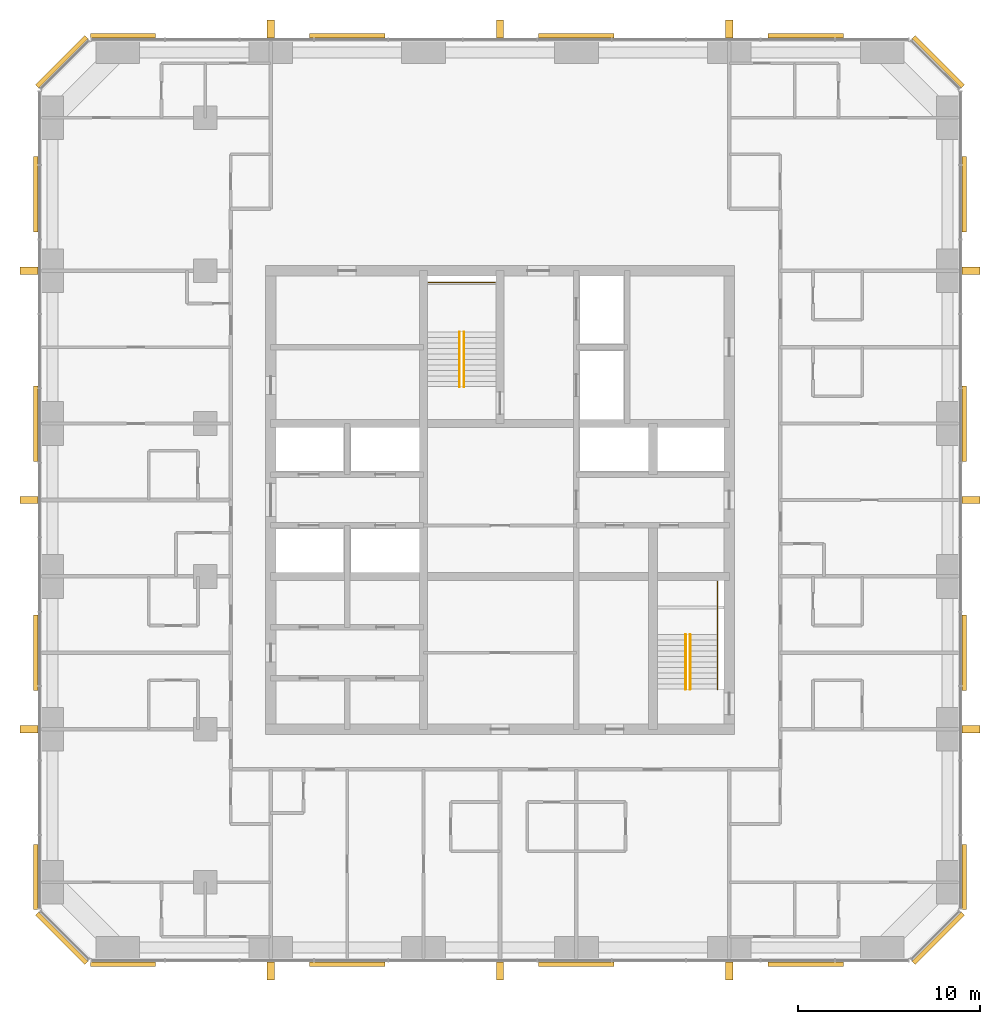
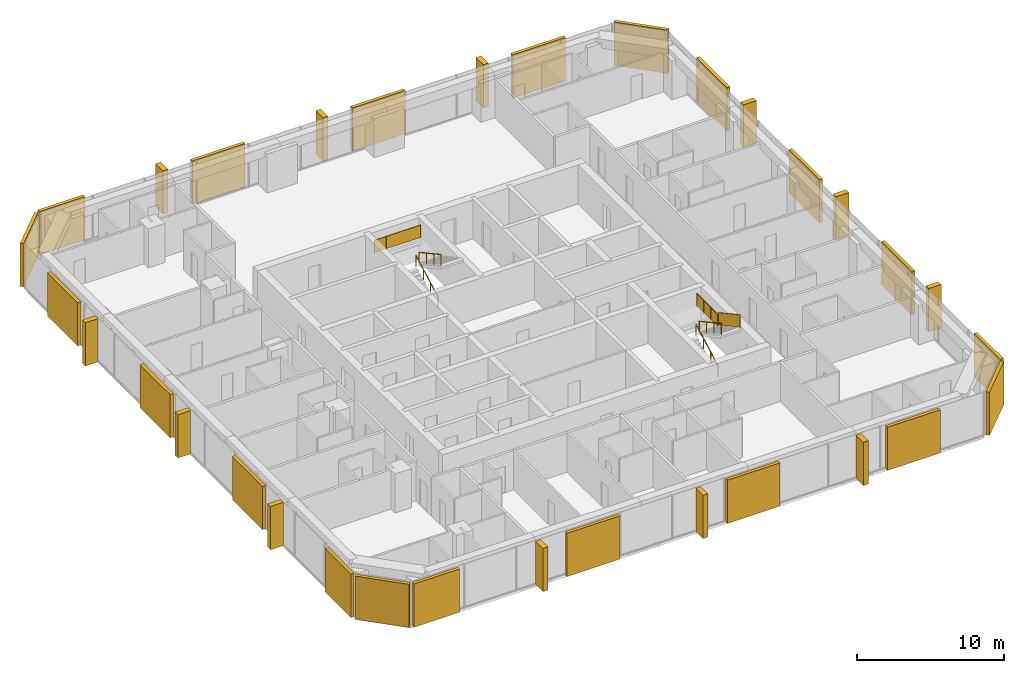
# One storey, part 13 of 13: 20 coverings, 12 shading devices, 7 railings.
"""IFC4 building model written with IfcOpenShell, lengths in metres."""

from ifc_helpers import new_model, si_unit, direction, frame, origin, origin_2d, place, context, subcontext, project, spatial, polyline, rectangle, circle, outline, extrude, material, layer, layer_set, type_object, element, save


model = new_model("IFC4")

# Units and contexts
model_context = context("Model", 3, precision=1e-05, world=origin(), true_north=direction((0.0, 1.0)))
body_context = subcontext(model_context, "Body", "Model", "MODEL_VIEW")
ifc_project = project(units=[si_unit("LENGTHUNIT", "METRE"), si_unit("AREAUNIT", "SQUARE_METRE"), si_unit("VOLUMEUNIT", "CUBIC_METRE"), si_unit("PLANEANGLEUNIT", "RADIAN"), si_unit("MASSUNIT", "GRAM", prefix="KILO")], contexts=[model_context])

# Site, building, storey
site_placement = place(None, origin())
site = spatial("IfcSite", under=ifc_project, at=site_placement, CompositionType="ELEMENT")
building_placement = place(site_placement, origin())
building = spatial("IfcBuilding", under=site, at=building_placement, Name="Dunama Terrace Hotel", CompositionType="ELEMENT")
storey_placement = place(building_placement, frame((0.0, 0.0, 209.39990234375)))
storey = spatial("IfcBuildingStorey", under=building, at=storey_placement, Name="L54", CompositionType="ELEMENT", Elevation=209.39990234375)

# Railings
ifc_material_1 = material(Name="Stainless steel and laminated glass guard", Category="steel")
railing_type_1 = type_object("IfcRailingType", Name="Guard 1100", PredefinedType="GUARDRAIL", material=ifc_material_1)
railing_1_placement = place(storey_placement, frame((25.47509765625, 41.35009765625, 1.800048828125)))
element("IfcRailing", 1, at=railing_1_placement, inside=storey, type_object=railing_type_1, Name="Stair landing guard ST1 L54", PredefinedType="GUARDRAIL", context=body_context, shape_type="SweptSolid", body=[
    extrude(circle(Radius=0.02392578125, at=origin_2d()), frame((0.0, 0.0, 1.076171875), z_axis=(1.0, 0.0, 0.0), x_axis=(0.0, 1.0, 0.0)), (0.0, 0.0, 1.0), 3.64990234375),
    extrude(circle(Radius=0.02099609375, at=origin_2d()), origin(), (0.0, 0.0, 1.0), 1.052001953125),
    extrude(circle(Radius=0.02099609375, at=origin_2d()), frame((0.91259765625, 0.0, 0.0)), (0.0, 0.0, 1.0), 1.052001953125),
    extrude(circle(Radius=0.02099609375, at=origin_2d()), frame((1.824951171875, 0.0, 0.0)), (0.0, 0.0, 1.0), 1.052001953125),
    extrude(circle(Radius=0.02099609375, at=origin_2d()), frame((2.7373046875, 0.0, 0.0)), (0.0, 0.0, 1.0), 1.052001953125),
    extrude(circle(Radius=0.02099609375, at=origin_2d()), frame((3.64990234375, 0.0, 0.0)), (0.0, 0.0, 1.0), 1.052001953125),
    extrude(outline(polyline([(0.0048828125, 0.050048828125), (0.90771484375, 0.050048828125), (0.90771484375, 1.076171875), (0.0048828125, 1.076171875), (0.0048828125, 0.050048828125)])), frame((0.0, 0.0087890625, 0.0), z_axis=(0.0, -1.0, 0.0), x_axis=(1.0, 0.0, 0.0)), (0.0, 0.0, 1.0), 0.017578125),
    extrude(outline(polyline([(0.0048828125, 0.050048828125), (0.90771484375, 0.050048828125), (0.90771484375, 1.076171875), (0.0048828125, 1.076171875), (0.0048828125, 0.050048828125)])), frame((0.91259765625, 0.0087890625, 0.0), z_axis=(0.0, -1.0, 0.0), x_axis=(1.0, 0.0, 0.0)), (0.0, 0.0, 1.0), 0.017578125),
    extrude(outline(polyline([(0.0048828125, 0.050048828125), (0.90771484375, 0.050048828125), (0.90771484375, 1.076171875), (0.0048828125, 1.076171875), (0.0048828125, 0.050048828125)])), frame((1.824951171875, 0.0087890625, 0.0), z_axis=(0.0, -1.0, 0.0), x_axis=(1.0, 0.0, 0.0)), (0.0, 0.0, 1.0), 0.017578125),
    extrude(outline(polyline([(0.0048828125, 0.050048828125), (0.90771484375, 0.050048828125), (0.90771484375, 1.076171875), (0.0048828125, 1.076171875), (0.0048828125, 0.050048828125)])), frame((2.7373046875, 0.0087890625, 0.0), z_axis=(0.0, -1.0, 0.0), x_axis=(1.0, 0.0, 0.0)), (0.0, 0.0, 1.0), 0.017578125),
])
railing_2_placement = place(storey_placement, frame((41.35009765625, 22.0, 1.963623046875)))
element("IfcRailing", 2, at=railing_2_placement, inside=storey, type_object=railing_type_1, Name="Stair guard ST2 L54", PredefinedType="GUARDRAIL", context=body_context, shape_type="SweptSolid", body=[
    extrude(circle(Radius=0.02392578125, at=origin_2d()), frame((0.0, 0.0, 1.076171875), z_axis=(0.0, -0.877881921179, 0.478877158013), x_axis=(1.0, 0.0, 0.0)), (0.0, 0.0, 1.0), 3.417236328125),
    extrude(circle(Radius=0.02099609375, at=origin_2d()), origin(), (0.0, 0.0, 1.0), 1.052001953125),
    extrude(circle(Radius=0.02099609375, at=origin_2d()), frame((0.0, -1.0, 0.54541015625)), (0.0, 0.0, 1.0), 1.052001953125),
    extrude(circle(Radius=0.02099609375, at=origin_2d()), frame((0.0, -2.0, 1.091064453125)), (0.0, 0.0, 1.0), 1.052001953125),
    extrude(circle(Radius=0.02099609375, at=origin_2d()), frame((0.0, -3.0, 1.636474609375)), (0.0, 0.0, 1.0), 1.052001953125),
    extrude(outline(polyline([(0.0048828125, 0.052734375), (0.9951171875, 0.5927734375), (0.9951171875, 1.618896484375), (0.0048828125, 1.07861328125), (0.0048828125, 0.052734375)])), frame((0.0087890625, 0.0, 0.0), z_axis=(-1.0, 0.0, 0.0), x_axis=(0.0, -1.0, 0.0)), (0.0, 0.0, 1.0), 0.017578125),
    extrude(outline(polyline([(0.0048828125, 0.052734375), (0.9951171875, 0.5927734375), (0.9951171875, 1.618896484375), (0.0048828125, 1.07861328125), (0.0048828125, 0.052734375)])), frame((0.0087890625, -1.0, 0.54541015625), z_axis=(-1.0, 0.0, 0.0), x_axis=(0.0, -1.0, 0.0)), (0.0, 0.0, 1.0), 0.017578125),
    extrude(outline(polyline([(0.0048828125, 0.052734375), (0.9951171875, 0.5927734375), (0.9951171875, 1.618896484375), (0.0048828125, 1.07861328125), (0.0048828125, 0.052734375)])), frame((0.0087890625, -2.0, 1.091064453125), z_axis=(-1.0, 0.0, 0.0), x_axis=(0.0, -1.0, 0.0)), (0.0, 0.0, 1.0), 0.017578125),
])
railing_3_placement = place(storey_placement, frame((41.35009765625, 22.050048828125, 1.800048828125)))
element("IfcRailing", 3, at=railing_3_placement, inside=storey, type_object=railing_type_1, Name="Stair landing guard ST2 L54", PredefinedType="GUARDRAIL", context=body_context, shape_type="SweptSolid", body=[
    extrude(circle(Radius=0.02392578125, at=origin_2d()), frame((0.0, 0.0, 1.076171875), z_axis=(0.0, 1.0, 0.0), x_axis=(-1.0, 0.0, 0.0)), (0.0, 0.0, 1.0), 2.875),
    extrude(circle(Radius=0.02099609375, at=origin_2d()), origin(), (0.0, 0.0, 1.0), 1.052001953125),
    extrude(circle(Radius=0.02099609375, at=origin_2d()), frame((0.0, 0.958251953125, 0.0)), (0.0, 0.0, 1.0), 1.052001953125),
    extrude(circle(Radius=0.02099609375, at=origin_2d()), frame((0.0, 1.916748046875, 0.0)), (0.0, 0.0, 1.0), 1.052001953125),
    extrude(circle(Radius=0.02099609375, at=origin_2d()), frame((0.0, 2.875, 0.0)), (0.0, 0.0, 1.0), 1.052001953125),
    extrude(outline(polyline([(0.0048828125, 0.050048828125), (0.953369140625, 0.050048828125), (0.953369140625, 1.076171875), (0.0048828125, 1.076171875), (0.0048828125, 0.050048828125)])), frame((-0.0087890625, 0.0, 0.0), z_axis=(1.0, 0.0, 0.0), x_axis=(0.0, 1.0, 0.0)), (0.0, 0.0, 1.0), 0.017578125),
    extrude(outline(polyline([(0.0048828125, 0.050048828125), (0.953369140625, 0.050048828125), (0.953369140625, 1.076171875), (0.0048828125, 1.076171875), (0.0048828125, 0.050048828125)])), frame((-0.0087890625, 0.958251953125, 0.0), z_axis=(1.0, 0.0, 0.0), x_axis=(0.0, 1.0, 0.0)), (0.0, 0.0, 1.0), 0.017578125),
    extrude(outline(polyline([(0.0048828125, 0.050048828125), (0.953369140625, 0.050048828125), (0.953369140625, 1.076171875), (0.0048828125, 1.076171875), (0.0048828125, 0.050048828125)])), frame((-0.0087890625, 1.916748046875, 0.0), z_axis=(1.0, 0.0, 0.0), x_axis=(0.0, 1.0, 0.0)), (0.0, 0.0, 1.0), 0.017578125),
])
ifc_material_2 = material(Name="Stainless steel handrail", Category="steel")
railing_type_2 = type_object("IfcRailingType", Name="Stair handrail 900", PredefinedType="HANDRAIL", material=ifc_material_2)
railing_4_placement = place(storey_placement, frame((27.175048828125, 35.625, 0.163818359375)))
element("IfcRailing", 4, at=railing_4_placement, inside=storey, type_object=railing_type_2, Name="Handrail ST1 L54", PredefinedType="HANDRAIL", context=body_context, shape_type="SweptSolid", body=[
    extrude(circle(Radius=0.02392578125, at=origin_2d()), frame((0.0, 0.0, 0.8759765625), z_axis=(0.0, 0.877911954615, 0.47882209634), x_axis=(-1.0, 0.0, 0.0)), (0.0, 0.0, 1.0), 3.417236328125),
    extrude(circle(Radius=0.02099609375, at=origin_2d()), origin(), (0.0, 0.0, 1.0), 0.851806640625),
    extrude(circle(Radius=0.02099609375, at=origin_2d()), frame((0.0, 1.0, 0.54541015625)), (0.0, 0.0, 1.0), 0.851806640625),
    extrude(circle(Radius=0.02099609375, at=origin_2d()), frame((0.0, 2.0, 1.0908203125)), (0.0, 0.0, 1.0), 0.851806640625),
    extrude(circle(Radius=0.02099609375, at=origin_2d()), frame((0.0, 3.0, 1.63623046875)), (0.0, 0.0, 1.0), 0.851806640625),
])
railing_5_placement = place(storey_placement, frame((27.425048828125, 38.625, 1.963623046875)))
element("IfcRailing", 5, at=railing_5_placement, inside=storey, type_object=railing_type_2, Name="Handrail ST1 L54", PredefinedType="HANDRAIL", context=body_context, shape_type="SweptSolid", body=[
    extrude(circle(Radius=0.02392578125, at=origin_2d()), frame((0.0, 0.0, 0.8759765625), z_axis=(0.0, -0.877881921179, 0.478877158013), x_axis=(1.0, 0.0, 0.0)), (0.0, 0.0, 1.0), 3.417236328125),
    extrude(circle(Radius=0.02099609375, at=origin_2d()), origin(), (0.0, 0.0, 1.0), 0.851806640625),
    extrude(circle(Radius=0.02099609375, at=origin_2d()), frame((0.0, -1.0, 0.54541015625)), (0.0, 0.0, 1.0), 0.851806640625),
    extrude(circle(Radius=0.02099609375, at=origin_2d()), frame((0.0, -2.0, 1.091064453125)), (0.0, 0.0, 1.0), 0.851806640625),
    extrude(circle(Radius=0.02099609375, at=origin_2d()), frame((0.0, -3.0, 1.636474609375)), (0.0, 0.0, 1.0), 0.851806640625),
])
railing_6_placement = place(storey_placement, frame((39.60009765625, 19.0, 0.163818359375)))
element("IfcRailing", 6, at=railing_6_placement, inside=storey, type_object=railing_type_2, Name="Handrail ST2 L54", PredefinedType="HANDRAIL", context=body_context, shape_type="SweptSolid", body=[
    extrude(circle(Radius=0.02392578125, at=origin_2d()), frame((0.0, 0.0, 0.8759765625), z_axis=(0.0, 0.877911954615, 0.47882209634), x_axis=(-1.0, 0.0, 0.0)), (0.0, 0.0, 1.0), 3.417236328125),
    extrude(circle(Radius=0.02099609375, at=origin_2d()), origin(), (0.0, 0.0, 1.0), 0.851806640625),
    extrude(circle(Radius=0.02099609375, at=origin_2d()), frame((0.0, 1.0, 0.54541015625)), (0.0, 0.0, 1.0), 0.851806640625),
    extrude(circle(Radius=0.02099609375, at=origin_2d()), frame((0.0, 2.0, 1.0908203125)), (0.0, 0.0, 1.0), 0.851806640625),
    extrude(circle(Radius=0.02099609375, at=origin_2d()), frame((0.0, 3.0, 1.63623046875)), (0.0, 0.0, 1.0), 0.851806640625),
])
railing_7_placement = place(storey_placement, frame((39.85009765625, 22.0, 1.963623046875)))
element("IfcRailing", 7, at=railing_7_placement, inside=storey, type_object=railing_type_2, Name="Handrail ST2 L54", PredefinedType="HANDRAIL", context=body_context, shape_type="SweptSolid", body=[
    extrude(circle(Radius=0.02392578125, at=origin_2d()), frame((0.0, 0.0, 0.8759765625), z_axis=(0.0, -0.877881921179, 0.478877158013), x_axis=(1.0, 0.0, 0.0)), (0.0, 0.0, 1.0), 3.417236328125),
    extrude(circle(Radius=0.02099609375, at=origin_2d()), origin(), (0.0, 0.0, 1.0), 0.851806640625),
    extrude(circle(Radius=0.02099609375, at=origin_2d()), frame((0.0, -1.0, 0.54541015625)), (0.0, 0.0, 1.0), 0.851806640625),
    extrude(circle(Radius=0.02099609375, at=origin_2d()), frame((0.0, -2.0, 1.091064453125)), (0.0, 0.0, 1.0), 0.851806640625),
    extrude(circle(Radius=0.02099609375, at=origin_2d()), frame((0.0, -3.0, 1.636474609375)), (0.0, 0.0, 1.0), 0.851806640625),
])

# Coverings
ifc_material_3 = material(Name="Warm reconstituted stone panel", Category="masonry")
ifc_layer_1 = layer(ifc_material_3, 0.25)
ifc_layer_set_1 = layer_set([ifc_layer_1], Name="Stone diagonal panel")
covering_type = type_object("IfcCoveringType", Name="Stone diagonal panel", PredefinedType="CLADDING", material=ifc_layer_set_1)
covering_1_placement = place(storey_placement, frame((8.68994140625, 3.876953125, 0.001953125), z_axis=(0.0, 0.0, 1.0), x_axis=(1.0, 0.0, 0.0)))
element("IfcCovering", 8, at=covering_1_placement, inside=storey, type_object=covering_type, Name="Stone diagonal panel L54", PredefinedType="CLADDING", context=body_context, shape_type="SweptSolid", body=[
    extrude(rectangle(XDim=3.570068359375, YDim=0.25, at=origin_2d()), origin(), (0.0, 0.0, 1.0), 3.595947265625),
])
for number, where, z_axis, x_axis, name in (
    (9, (21.0, 3.876953125, 0.001953125), (0.0, 0.0, 1.0), (1.0, 0.0, 0.0), "Stone diagonal panel L54"),
    (10, (33.60009765625, 3.876953125, 0.001953125), (0.0, 0.0, 1.0), (1.0, 0.0, 0.0), "Stone diagonal panel L54"),
    (11, (46.199951171875, 3.876953125, 0.001953125), (0.0, 0.0, 1.0), (1.0, 0.0, 0.0), "Stone diagonal panel L54"),
):
    element("IfcCovering", number, at=place(storey_placement, frame(where, z_axis=z_axis, x_axis=x_axis)), inside=storey, type_object=covering_type, Name=name, PredefinedType="CLADDING", context=body_context, shape_type="SweptSolid", body=[
        extrude(rectangle(XDim=4.14990234375, YDim=0.25, at=origin_2d()), origin(), (0.0, 0.0, 1.0), 3.595947265625),
    ])
covering_2_placement = place(storey_placement, frame((53.47900390625, 5.321044921875, 0.001953125), z_axis=(0.0, 0.0, 1.0), x_axis=(0.707106781187, 0.707106781187, 0.0)))
element("IfcCovering", 12, at=covering_2_placement, inside=storey, type_object=covering_type, Name="Stone diagonal panel L54", PredefinedType="CLADDING", context=body_context, shape_type="SweptSolid", body=[
    extrude(rectangle(XDim=3.808349609375, YDim=0.25, at=origin_2d()), origin(), (0.0, 0.0, 1.0), 3.595947265625),
])
covering_3_placement = place(storey_placement, frame((54.923095703125, 8.68994140625, 0.001953125), z_axis=(0.0, 0.0, 1.0), x_axis=(0.0, 1.0, 0.0)))
element("IfcCovering", 13, at=covering_3_placement, inside=storey, type_object=covering_type, Name="Stone diagonal panel L54", PredefinedType="CLADDING", context=body_context, shape_type="SweptSolid", body=[
    extrude(rectangle(XDim=3.570068359375, YDim=0.25, at=origin_2d()), origin(), (0.0, 0.0, 1.0), 3.595947265625),
])
for number, where, z_axis, x_axis, name in (
    (14, (54.923095703125, 21.0, 0.001953125), (0.0, 0.0, 1.0), (0.0, 1.0, 0.0), "Stone diagonal panel L54"),
    (15, (54.923095703125, 33.60009765625, 0.001953125), (0.0, 0.0, 1.0), (0.0, 1.0, 0.0), "Stone diagonal panel L54"),
    (16, (54.923095703125, 46.199951171875, 0.001953125), (0.0, 0.0, 1.0), (0.0, 1.0, 0.0), "Stone diagonal panel L54"),
):
    element("IfcCovering", number, at=place(storey_placement, frame(where, z_axis=z_axis, x_axis=x_axis)), inside=storey, type_object=covering_type, Name=name, PredefinedType="CLADDING", context=body_context, shape_type="SweptSolid", body=[
        extrude(rectangle(XDim=4.14990234375, YDim=0.25, at=origin_2d()), origin(), (0.0, 0.0, 1.0), 3.595947265625),
    ])
covering_4_placement = place(storey_placement, frame((53.47900390625, 53.47900390625, 0.001953125), z_axis=(0.0, 0.0, 1.0), x_axis=(-0.707106781187, 0.707106781187, 0.0)))
element("IfcCovering", 17, at=covering_4_placement, inside=storey, type_object=covering_type, Name="Stone diagonal panel L54", PredefinedType="CLADDING", context=body_context, shape_type="SweptSolid", body=[
    extrude(rectangle(XDim=3.808349609375, YDim=0.25, at=origin_2d()), origin(), (0.0, 0.0, 1.0), 3.595947265625),
])
for number, where, z_axis, x_axis, name in (
    (18, (46.199951171875, 54.923095703125, 0.001953125), (0.0, 0.0, 1.0), (-1.0, 0.0, 0.0), "Stone diagonal panel L54"),
    (19, (33.60009765625, 54.923095703125, 0.001953125), (0.0, 0.0, 1.0), (-1.0, 0.0, 0.0), "Stone diagonal panel L54"),
    (20, (21.0, 54.923095703125, 0.001953125), (0.0, 0.0, 1.0), (-1.0, 0.0, 0.0), "Stone diagonal panel L54"),
):
    element("IfcCovering", number, at=place(storey_placement, frame(where, z_axis=z_axis, x_axis=x_axis)), inside=storey, type_object=covering_type, Name=name, PredefinedType="CLADDING", context=body_context, shape_type="SweptSolid", body=[
        extrude(rectangle(XDim=4.14990234375, YDim=0.25, at=origin_2d()), origin(), (0.0, 0.0, 1.0), 3.595947265625),
    ])
covering_5_placement = place(storey_placement, frame((8.68994140625, 54.923095703125, 0.001953125), z_axis=(0.0, 0.0, 1.0), x_axis=(-1.0, 0.0, 0.0)))
element("IfcCovering", 21, at=covering_5_placement, inside=storey, type_object=covering_type, Name="Stone diagonal panel L54", PredefinedType="CLADDING", context=body_context, shape_type="SweptSolid", body=[
    extrude(rectangle(XDim=3.570068359375, YDim=0.25, at=origin_2d()), origin(), (0.0, 0.0, 1.0), 3.595947265625),
])
covering_6_placement = place(storey_placement, frame((5.321044921875, 53.47900390625, 0.001953125), z_axis=(0.0, 0.0, 1.0), x_axis=(-0.707106781187, -0.707106781187, 0.0)))
element("IfcCovering", 22, at=covering_6_placement, inside=storey, type_object=covering_type, Name="Stone diagonal panel L54", PredefinedType="CLADDING", context=body_context, shape_type="SweptSolid", body=[
    extrude(rectangle(XDim=3.808349609375, YDim=0.25, at=origin_2d()), origin(), (0.0, 0.0, 1.0), 3.595947265625),
])
for number, where, z_axis, x_axis, name in (
    (23, (3.876953125, 46.199951171875, 0.001953125), (0.0, 0.0, 1.0), (0.0, -1.0, 0.0), "Stone diagonal panel L54"),
    (24, (3.876953125, 33.60009765625, 0.001953125), (0.0, 0.0, 1.0), (0.0, -1.0, 0.0), "Stone diagonal panel L54"),
    (25, (3.876953125, 21.0, 0.001953125), (0.0, 0.0, 1.0), (0.0, -1.0, 0.0), "Stone diagonal panel L54"),
):
    element("IfcCovering", number, at=place(storey_placement, frame(where, z_axis=z_axis, x_axis=x_axis)), inside=storey, type_object=covering_type, Name=name, PredefinedType="CLADDING", context=body_context, shape_type="SweptSolid", body=[
        extrude(rectangle(XDim=4.14990234375, YDim=0.25, at=origin_2d()), origin(), (0.0, 0.0, 1.0), 3.595947265625),
    ])
covering_7_placement = place(storey_placement, frame((3.876953125, 8.68994140625, 0.001953125), z_axis=(0.0, 0.0, 1.0), x_axis=(0.0, -1.0, 0.0)))
element("IfcCovering", 26, at=covering_7_placement, inside=storey, type_object=covering_type, Name="Stone diagonal panel L54", PredefinedType="CLADDING", context=body_context, shape_type="SweptSolid", body=[
    extrude(rectangle(XDim=3.570068359375, YDim=0.25, at=origin_2d()), origin(), (0.0, 0.0, 1.0), 3.595947265625),
])
covering_8_placement = place(storey_placement, frame((5.321044921875, 5.321044921875, 0.001953125), z_axis=(0.0, 0.0, 1.0), x_axis=(0.707106781187, -0.707106781187, 0.0)))
element("IfcCovering", 27, at=covering_8_placement, inside=storey, type_object=covering_type, Name="Stone diagonal panel L54", PredefinedType="CLADDING", context=body_context, shape_type="SweptSolid", body=[
    extrude(rectangle(XDim=3.808349609375, YDim=0.25, at=origin_2d()), origin(), (0.0, 0.0, 1.0), 3.595947265625),
])

# Shading devices
ifc_material_4 = material(Name="Warm reconstituted stone fin", Category="masonry")
ifc_layer_2 = layer(ifc_material_4, 0.39990234375)
ifc_layer_set_2 = layer_set([ifc_layer_2], Name="Warm stone fin 400x1000")
shading_device_type = type_object("IfcShadingDeviceType", Name="Warm stone fin 400x1000", PredefinedType="USERDEFINED", material=ifc_layer_set_2)
for number, where, z_axis, x_axis, name in (
    (28, (16.800048828125, 3.52197265625, 0.0), (0.0, 0.0, 1.0), (1.0, 0.0, 0.0), "Stone fin"),
    (29, (29.39990234375, 3.52197265625, 0.0), (0.0, 0.0, 1.0), (1.0, 0.0, 0.0), "Stone fin"),
    (30, (42.0, 3.52197265625, 0.0), (0.0, 0.0, 1.0), (1.0, 0.0, 0.0), "Stone fin"),
    (31, (55.278076171875, 16.800048828125, 0.0), (0.0, 0.0, 1.0), (0.0, 1.0, 0.0), "Stone fin"),
    (32, (55.278076171875, 29.39990234375, 0.0), (0.0, 0.0, 1.0), (0.0, 1.0, 0.0), "Stone fin"),
    (33, (55.278076171875, 42.0, 0.0), (0.0, 0.0, 1.0), (0.0, 1.0, 0.0), "Stone fin"),
    (34, (42.0, 55.278076171875, 0.0), (0.0, 0.0, 1.0), (-1.0, 0.0, 0.0), "Stone fin"),
    (35, (29.39990234375, 55.278076171875, 0.0), (0.0, 0.0, 1.0), (-1.0, 0.0, 0.0), "Stone fin"),
    (36, (16.800048828125, 55.278076171875, 0.0), (0.0, 0.0, 1.0), (-1.0, 0.0, 0.0), "Stone fin"),
    (37, (3.52197265625, 42.0, 0.0), (0.0, 0.0, 1.0), (0.0, -1.0, 0.0), "Stone fin"),
    (38, (3.52197265625, 29.39990234375, 0.0), (0.0, 0.0, 1.0), (0.0, -1.0, 0.0), "Stone fin"),
    (39, (3.52197265625, 16.800048828125, 0.0), (0.0, 0.0, 1.0), (0.0, -1.0, 0.0), "Stone fin"),
):
    element("IfcShadingDevice", number, at=place(storey_placement, frame(where, z_axis=z_axis, x_axis=x_axis)), inside=storey, type_object=shading_device_type, Name=name, ObjectType="FIN", PredefinedType="USERDEFINED", context=body_context, shape_type="SweptSolid", body=[
        extrude(rectangle(XDim=0.39990234375, YDim=1.0, at=origin_2d()), origin(), (0.0, 0.0, 1.0), 3.60009765625),
    ])

save(model, "model.ifc")
